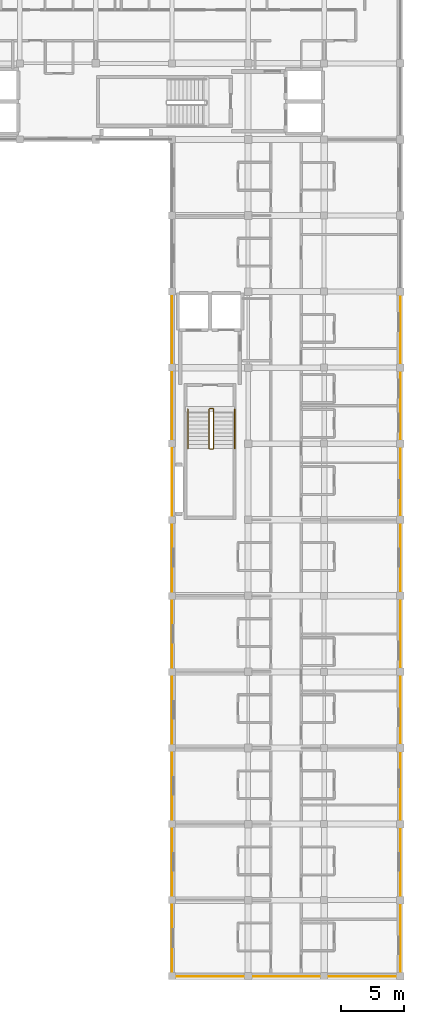
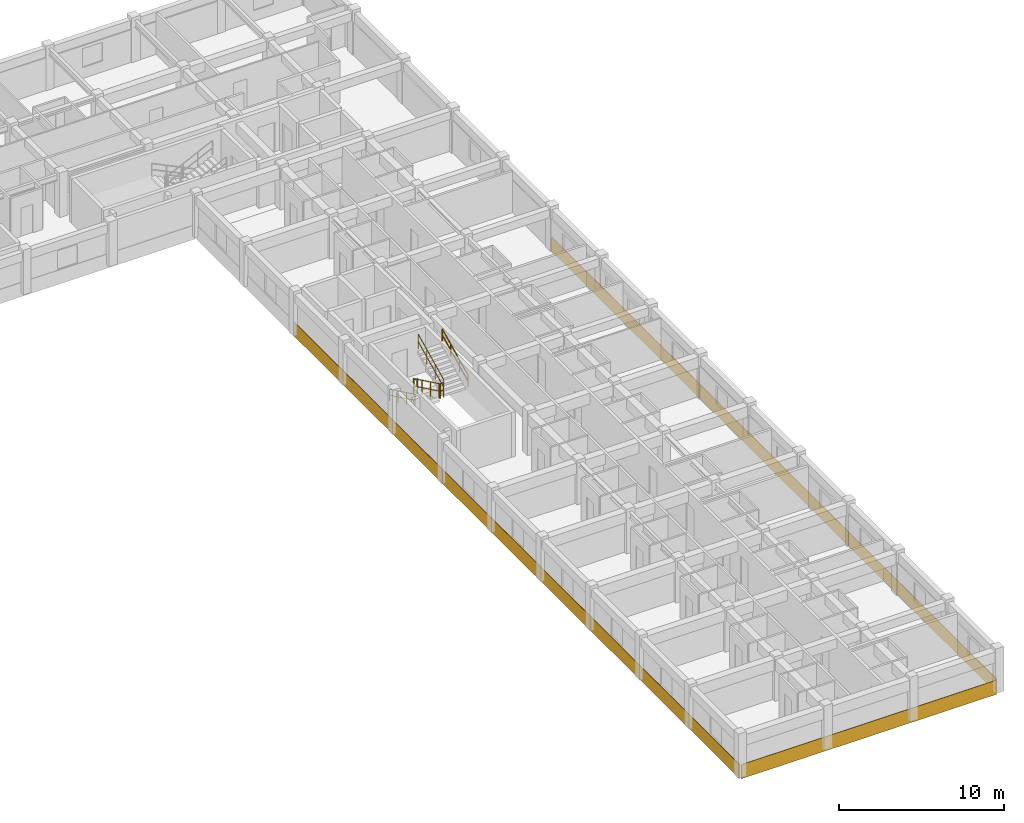
# One storey, part 17 of 21: 7 coverings, 6 railings.
"""IFC4 building model written with IfcOpenShell, lengths in metres."""

from ifc_helpers import new_model, si_unit, direction, frame, origin, origin_2d, place, context, subcontext, project, spatial, polyline, circle, outline, extrude, material, layer, layer_set, type_object, element, save


model = new_model("IFC4")

# Units and contexts
model_context = context("Model", 3, precision=1e-05, world=origin(), true_north=direction((0.0, 1.0)))
body_context = subcontext(model_context, "Body", "Model", "MODEL_VIEW")
ifc_project = project(units=[si_unit("LENGTHUNIT", "METRE"), si_unit("AREAUNIT", "SQUARE_METRE"), si_unit("VOLUMEUNIT", "CUBIC_METRE"), si_unit("PLANEANGLEUNIT", "RADIAN"), si_unit("MASSUNIT", "GRAM", prefix="KILO"), si_unit("THERMODYNAMICTEMPERATUREUNIT", "KELVIN"), si_unit("POWERUNIT", "WATT")], contexts=[model_context])

# Site, building, storey
site_placement = place(None, origin())
site = spatial("IfcSite", under=ifc_project, at=site_placement, CompositionType="ELEMENT")
building_placement = place(site_placement, origin())
building = spatial("IfcBuilding", under=site, at=building_placement, Name="Phaisarnlok Congress Hotel", CompositionType="ELEMENT")
storey_placement = place(building_placement, frame((0.0, 0.0, 31.5)))
storey = spatial("IfcBuildingStorey", under=building, at=storey_placement, Name="L07", CompositionType="ELEMENT", Elevation=31.5)

# Coverings
ifc_material_1 = material(Name="Anodised Silver Aluminium Alloy 6063-T6", Category="aluminium")
ifc_layer = layer(ifc_material_1, 0.031982421875, Name="Anodised Silver Aluminium Alloy 6063-T6")
ifc_layer_set = layer_set([ifc_layer], Name="Anodised Silver Aluminium Alloy 6063-T6")
covering_type = type_object("IfcCoveringType", Name="COV-SPAND-ALU", PredefinedType="CLADDING", material=ifc_layer_set)
for number, where, z_axis, x_axis, name in (
    (1, (179.9951171875, 42.06005859375, -0.280029296875), (1.0, 0.0, 0.0), (0.0, 1.0, 0.0), "Swiss minimalist anodised silver rainscreen band CL-02 (L07 E)"),
    (2, (179.9951171875, 60.06005859375, -0.280029296875), (1.0, 0.0, 0.0), (0.0, 1.0, 0.0), "Swiss minimalist anodised silver rainscreen band CL-02 (L07 E)"),
    (3, (179.9951171875, 78.06005859375, -0.280029296875), (1.0, 0.0, 0.0), (0.0, 1.0, 0.0), "Swiss minimalist anodised silver rainscreen band CL-02 (L07 E)"),
    (4, (162.0048828125, 60.06005859375, -0.280029296875), (-1.0, 0.0, 0.0), (0.0, -1.0, 0.0), "Swiss minimalist anodised silver rainscreen band CL-02 (L07 W)"),
    (5, (162.0048828125, 78.06005859375, -0.280029296875), (-1.0, 0.0, 0.0), (0.0, -1.0, 0.0), "Swiss minimalist anodised silver rainscreen band CL-02 (L07 W)"),
    (6, (162.0048828125, 96.06005859375, -0.280029296875), (-1.0, 0.0, 0.0), (0.0, -1.0, 0.0), "Swiss minimalist anodised silver rainscreen band CL-02 (L07 W)"),
):
    element("IfcCovering", number, at=place(storey_placement, frame(where, z_axis=z_axis, x_axis=x_axis)), inside=storey, type_object=covering_type, Name=name, PredefinedType="CLADDING", context=body_context, shape_type="SweptSolid", body=[
        extrude(outline(polyline([(0.0, 0.0), (18.0, 0.0), (18.0, 1.050048828125), (0.0, 1.050048828125), (0.0, 0.0)])), origin(), (0.0, 0.0, 1.0), 0.031982421875),
    ])
covering_placement = place(storey_placement, frame((162.06005859375, 42.0048828125, -0.280029296875), z_axis=(0.0, -1.0, 0.0), x_axis=(1.0, 0.0, 0.0)))
element("IfcCovering", 7, at=covering_placement, inside=storey, type_object=covering_type, Name="Swiss minimalist anodised silver rainscreen band CL-02 (L07 SG)", PredefinedType="CLADDING", context=body_context, shape_type="SweptSolid", body=[
    extrude(outline(polyline([(0.0, 0.0), (17.8798828125, 0.0), (17.8798828125, 1.050048828125), (0.0, 1.050048828125), (0.0, 0.0)])), origin(), (0.0, 0.0, 1.0), 0.031982421875),
])

# Railings
ifc_material_2 = material(Name="Painted Galvanised Steel S275", Category="steel")
railing_type_1 = type_object("IfcRailingType", Name="RLG-STR-GUARD", PredefinedType="BALUSTRADE", material=ifc_material_2)
railing_1_placement = place(storey_placement, frame((164.929931640625, 86.719970703125, 0.14990234375)))
element("IfcRailing", 8, at=railing_1_placement, inside=storey, type_object=railing_type_1, Name="L07 ST-09 stair guard 1", PredefinedType="BALUSTRADE", context=body_context, shape_type="SweptSolid", body=[
    extrude(circle(Radius=0.02392578125, at=origin_2d()), frame((0.0, 0.0, 1.076171875), z_axis=(0.0, -0.900151181449, 0.435577605641), x_axis=(1.0, 0.0, 0.0)), (0.0, 0.0, 1.0), 3.443603515625),
    extrude(circle(Radius=0.02392578125, at=origin_2d()), frame((0.0, 0.0, 0.52587890625), z_axis=(0.0, -0.900151181449, 0.435577605641), x_axis=(1.0, 0.0, 0.0)), (0.0, 0.0, 1.0), 3.443603515625),
    extrude(circle(Radius=0.02099609375, at=origin_2d()), origin(), (0.0, 0.0, 1.0), 1.052001953125),
    extrude(circle(Radius=0.02099609375, at=origin_2d()), frame((0.0, -1.033203125, 0.5)), (0.0, 0.0, 1.0), 1.052001953125),
    extrude(circle(Radius=0.02099609375, at=origin_2d()), frame((0.0, -2.066650390625, 1.0)), (0.0, 0.0, 1.0), 1.052001953125),
    extrude(circle(Radius=0.02099609375, at=origin_2d()), frame((0.0, -3.099853515625, 1.5)), (0.0, 0.0, 1.0), 1.052001953125),
])
railing_2_placement = place(storey_placement, frame((164.97998046875, 83.570068359375, 1.64990234375)))
element("IfcRailing", 9, at=railing_2_placement, inside=storey, type_object=railing_type_1, Name="L07 ST-09 stair guard 2", PredefinedType="BALUSTRADE", context=body_context, shape_type="SweptSolid", body=[
    extrude(circle(Radius=0.02392578125, at=origin_2d()), frame((0.0, 0.0, 1.076171875), z_axis=(1.0, 0.0, 0.0), x_axis=(0.0, 1.0, 0.0)), (0.0, 0.0, 1.0), 0.239990234375),
    extrude(circle(Radius=0.02392578125, at=origin_2d()), frame((0.0, 0.0, 0.52587890625), z_axis=(1.0, 0.0, 0.0), x_axis=(0.0, 1.0, 0.0)), (0.0, 0.0, 1.0), 0.239990234375),
    extrude(circle(Radius=0.02099609375, at=origin_2d()), origin(), (0.0, 0.0, 1.0), 1.052001953125),
    extrude(circle(Radius=0.02099609375, at=origin_2d()), frame((0.239990234375, 0.0, 0.0)), (0.0, 0.0, 1.0), 1.052001953125),
])
railing_3_placement = place(storey_placement, frame((165.27001953125, 83.6201171875, 1.800048828125)))
element("IfcRailing", 10, at=railing_3_placement, inside=storey, type_object=railing_type_1, Name="L07 ST-09 stair guard 3", PredefinedType="BALUSTRADE", context=body_context, shape_type="SweptSolid", body=[
    extrude(circle(Radius=0.02392578125, at=origin_2d()), frame((0.0, 0.0, 1.076171875), z_axis=(0.0, 0.900151181449, 0.435577605641), x_axis=(-1.0, 0.0, 0.0)), (0.0, 0.0, 1.0), 3.443603515625),
    extrude(circle(Radius=0.02392578125, at=origin_2d()), frame((0.0, 0.0, 0.52587890625), z_axis=(0.0, 0.900151181449, 0.435577605641), x_axis=(-1.0, 0.0, 0.0)), (0.0, 0.0, 1.0), 3.443603515625),
    extrude(circle(Radius=0.02099609375, at=origin_2d()), origin(), (0.0, 0.0, 1.0), 1.052001953125),
    extrude(circle(Radius=0.02099609375, at=origin_2d()), frame((0.0, 1.033203125, 0.5)), (0.0, 0.0, 1.0), 1.052001953125),
    extrude(circle(Radius=0.02099609375, at=origin_2d()), frame((0.0, 2.066650390625, 1.0)), (0.0, 0.0, 1.0), 1.052001953125),
    extrude(circle(Radius=0.02099609375, at=origin_2d()), frame((0.0, 3.099853515625, 1.5)), (0.0, 0.0, 1.0), 1.052001953125),
])
railing_4_placement = place(storey_placement, frame((164.97998046875, 86.77001953125, 0.0)))
element("IfcRailing", 11, at=railing_4_placement, inside=storey, type_object=railing_type_1, Name="L07 ST-09 stair guard 4", PredefinedType="BALUSTRADE", context=body_context, shape_type="SweptSolid", body=[
    extrude(circle(Radius=0.02392578125, at=origin_2d()), frame((0.0, 0.0, 1.076171875), z_axis=(1.0, 0.0, 0.0), x_axis=(0.0, 1.0, 0.0)), (0.0, 0.0, 1.0), 0.239990234375),
    extrude(circle(Radius=0.02392578125, at=origin_2d()), frame((0.0, 0.0, 0.52587890625), z_axis=(1.0, 0.0, 0.0), x_axis=(0.0, 1.0, 0.0)), (0.0, 0.0, 1.0), 0.239990234375),
    extrude(circle(Radius=0.02099609375, at=origin_2d()), origin(), (0.0, 0.0, 1.0), 1.052001953125),
    extrude(circle(Radius=0.02099609375, at=origin_2d()), frame((0.239990234375, 0.0, 0.0)), (0.0, 0.0, 1.0), 1.052001953125),
])
ifc_material_3 = material(Name="Brushed Stainless Steel Grade 304", Category="steel")
railing_type_2 = type_object("IfcRailingType", Name="RLG-STR-HRAIL", PredefinedType="HANDRAIL", material=ifc_material_3)
railing_5_placement = place(storey_placement, frame((163.25, 86.719970703125, 0.14990234375)))
element("IfcRailing", 12, at=railing_5_placement, inside=storey, type_object=railing_type_2, Name="L07 ST-09 stair handrail 1", PredefinedType="HANDRAIL", context=body_context, shape_type="SweptSolid", body=[
    extrude(circle(Radius=0.02392578125, at=origin_2d()), frame((0.0, 0.0, 0.8759765625), z_axis=(0.0, -0.900151181449, 0.435577605641), x_axis=(1.0, 0.0, 0.0)), (0.0, 0.0, 1.0), 3.443603515625),
    extrude(circle(Radius=0.02392578125, at=origin_2d()), frame((0.0, 0.0, 0.42578125), z_axis=(0.0, -0.900151181449, 0.435577605641), x_axis=(1.0, 0.0, 0.0)), (0.0, 0.0, 1.0), 3.443603515625),
    extrude(circle(Radius=0.02099609375, at=origin_2d()), origin(), (0.0, 0.0, 1.0), 0.851806640625),
    extrude(circle(Radius=0.02099609375, at=origin_2d()), frame((0.0, -1.033203125, 0.5)), (0.0, 0.0, 1.0), 0.851806640625),
    extrude(circle(Radius=0.02099609375, at=origin_2d()), frame((0.0, -2.066650390625, 1.0)), (0.0, 0.0, 1.0), 0.851806640625),
    extrude(circle(Radius=0.02099609375, at=origin_2d()), frame((0.0, -3.099853515625, 1.5)), (0.0, 0.0, 1.0), 0.851806640625),
])
railing_6_placement = place(storey_placement, frame((166.949951171875, 83.6201171875, 1.800048828125)))
element("IfcRailing", 13, at=railing_6_placement, inside=storey, type_object=railing_type_2, Name="L07 ST-09 stair handrail 2", PredefinedType="HANDRAIL", context=body_context, shape_type="SweptSolid", body=[
    extrude(circle(Radius=0.02392578125, at=origin_2d()), frame((0.0, 0.0, 0.8759765625), z_axis=(0.0, 0.900151181449, 0.435577605641), x_axis=(-1.0, 0.0, 0.0)), (0.0, 0.0, 1.0), 3.443603515625),
    extrude(circle(Radius=0.02392578125, at=origin_2d()), frame((0.0, 0.0, 0.42578125), z_axis=(0.0, 0.900151181449, 0.435577605641), x_axis=(-1.0, 0.0, 0.0)), (0.0, 0.0, 1.0), 3.443603515625),
    extrude(circle(Radius=0.02099609375, at=origin_2d()), origin(), (0.0, 0.0, 1.0), 0.851806640625),
    extrude(circle(Radius=0.02099609375, at=origin_2d()), frame((0.0, 1.033203125, 0.5)), (0.0, 0.0, 1.0), 0.851806640625),
    extrude(circle(Radius=0.02099609375, at=origin_2d()), frame((0.0, 2.066650390625, 1.0)), (0.0, 0.0, 1.0), 0.851806640625),
    extrude(circle(Radius=0.02099609375, at=origin_2d()), frame((0.0, 3.099853515625, 1.5)), (0.0, 0.0, 1.0), 0.851806640625),
])

save(model, "model.ifc")
